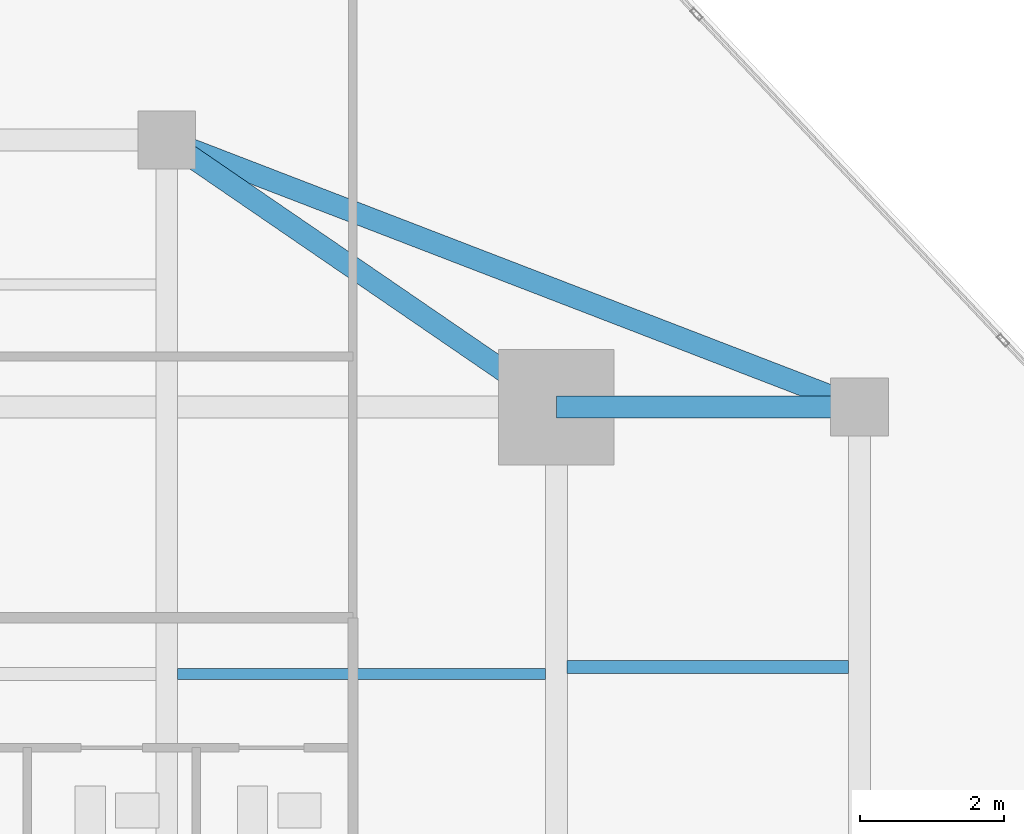
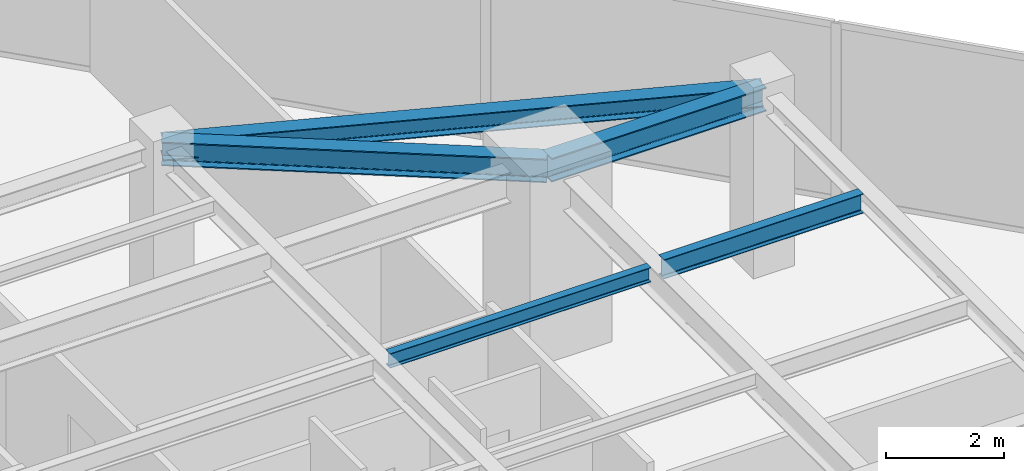
# One storey, part 17 of 24: 5 beams.
"""IFC4 building model written with IfcOpenShell, lengths in metres."""

from ifc_helpers import new_model, si_unit, direction, frame, origin, origin_2d, place, context, subcontext, project, spatial, i_section, extrude, source, transform, mapped, material, material_profile, profile_set, type_object, type_shapes, element, save


model = new_model("IFC4")

# Units and contexts
model_context = context("Model", 3, precision=1e-05, world=origin(), true_north=direction((0.0, 1.0)))
body_context = subcontext(model_context, "Body", "Model", "MODEL_VIEW")
ifc_project = project(units=[si_unit("LENGTHUNIT", "METRE"), si_unit("AREAUNIT", "SQUARE_METRE"), si_unit("VOLUMEUNIT", "CUBIC_METRE"), si_unit("PLANEANGLEUNIT", "RADIAN"), si_unit("MASSUNIT", "GRAM", prefix="KILO")], contexts=[model_context])

# Site, building, storey
site_placement = place(None, origin())
site = spatial("IfcSite", under=ifc_project, at=site_placement, CompositionType="ELEMENT")
building_placement = place(site_placement, origin())
building = spatial("IfcBuilding", under=site, at=building_placement, Name="Krantzveldt Concourse Tower", CompositionType="ELEMENT")
storey_placement = place(building_placement, frame((0.0, 0.0, 242.85009765625)))
storey = spatial("IfcBuildingStorey", under=building, at=storey_placement, Name="L59", CompositionType="ELEMENT", Elevation=242.85009765625)

# Beams
ifc_material = material(Name="Steel S355JR", Category="steel")
ifc_material_profile_1 = material_profile(ifc_material, i_section(OverallWidth=0.300048828125, OverallDepth=0.389892578125, WebThickness=0.010986328125, FlangeThickness=0.01904296875, FilletRadius=0.027099609375, at=origin_2d()), Name="Steel S355JR", Category="steel")
ifc_profile_set_1 = profile_set([ifc_material_profile_1], Name="Steel S355JR - HEA 400")
beam_type_1 = type_object("IfcBeamType", Name="BM-SP-HEA400", PredefinedType="SPANDREL", material=ifc_profile_set_1)
shared_shape_1 = source(origin(), body_context, "Body", "SweptSolid", [
    extrude(i_section(OverallWidth=0.300048828125, OverallDepth=0.389892578125, WebThickness=0.010986328125, FlangeThickness=0.01904296875, FilletRadius=0.027099609375, at=origin_2d()), origin(), (0.0, 0.0, 1.0), 10.288330078125),
])
type_shapes(beam_type_1, [shared_shape_1])
beam_1_placement = place(storey_placement, frame((41.39990234375, 41.199951171875, 3.474853515625), z_axis=(0.933097690408, -0.359622997257, 0.0), x_axis=(0.359622997257, 0.933097690408, 0.0)))
element("IfcBeam", 1, at=beam_1_placement, inside=storey, type_object=beam_type_1, Name="L59 Tower Girder SP-R05", PredefinedType="SPANDREL", context=body_context, shape_type="MappedRepresentation", body=[
    mapped(shared_shape_1, transform((0.0, 0.0, 0.0), x_axis=(1.0, 0.0, 0.0), y_axis=(0.0, 1.0, 0.0), z_axis=(0.0, 0.0, 1.0), scale=1.0)),
])
ifc_material_profile_2 = material_profile(ifc_material, i_section(OverallWidth=0.300048828125, OverallDepth=0.489990234375, WebThickness=0.011962890625, FlangeThickness=0.02294921875, FilletRadius=0.027099609375, at=origin_2d()), Name="Steel S355JR", Category="steel")
ifc_profile_set_2 = profile_set([ifc_material_profile_2], Name="Steel S355JR - HEA 500")
beam_type_2 = type_object("IfcBeamType", Name="BM-B-HEA500", PredefinedType="BEAM", material=ifc_profile_set_2)
shared_shape_2 = source(origin(), body_context, "Body", "SweptSolid", [
    extrude(i_section(OverallWidth=0.300048828125, OverallDepth=0.489990234375, WebThickness=0.011962890625, FlangeThickness=0.02294921875, FilletRadius=0.027099609375, at=origin_2d()), origin(), (0.0, 0.0, 1.0), 4.199951171875),
])
beam_2_placement = place(storey_placement, frame((46.800048828125, 37.5, 3.4248046875), z_axis=(1.0, 0.0, 0.0), x_axis=(0.0, 1.0, 0.0)))
element("IfcBeam", 2, at=beam_2_placement, inside=storey, type_object=beam_type_2, Name="L59 Tower Girder BR-RR3", PredefinedType="BEAM", context=body_context, shape_type="MappedRepresentation", body=[
    mapped(shared_shape_2, transform((0.0, 0.0, 0.0), x_axis=(1.0, 0.0, 0.0), y_axis=(0.0, 1.0, 0.0), z_axis=(0.0, 0.0, 1.0), scale=1.0)),
])
shared_shape_3 = source(origin(), body_context, "Body", "SweptSolid", [
    extrude(i_section(OverallWidth=0.300048828125, OverallDepth=0.489990234375, WebThickness=0.011962890625, FlangeThickness=0.02294921875, FilletRadius=0.027099609375, at=origin_2d()), origin(), (0.0, 0.0, 1.0), 6.546142578125),
])
type_shapes(beam_type_2, [shared_shape_2, shared_shape_3])
beam_3_placement = place(storey_placement, frame((46.800048828125, 37.5, 3.4248046875), z_axis=(-0.824942999484, 0.565215930068, 0.0), x_axis=(-0.565215930068, -0.824942999484, 0.0)))
element("IfcBeam", 3, at=beam_3_placement, inside=storey, type_object=beam_type_2, Name="L59 Tower Girder BR-RR4", PredefinedType="BEAM", context=body_context, shape_type="MappedRepresentation", body=[
    mapped(shared_shape_3, transform((0.0, 0.0, 0.0), x_axis=(1.0, 0.0, 0.0), y_axis=(0.0, 1.0, 0.0), z_axis=(0.0, 0.0, 1.0), scale=1.0)),
])
ifc_material_profile_3 = material_profile(ifc_material, i_section(OverallWidth=0.14990234375, OverallDepth=0.300048828125, WebThickness=0.007080078125, FlangeThickness=0.0107421875, FilletRadius=0.014892578125, at=origin_2d()), Name="Steel S355JR", Category="steel")
ifc_profile_set_3 = profile_set([ifc_material_profile_3], Name="Steel S355JR - IPE 300")
beam_type_3 = type_object("IfcBeamType", Name="BM-J-IPE300", PredefinedType="JOIST", material=ifc_profile_set_3)
shared_shape_4 = source(origin(), body_context, "Body", "SweptSolid", [
    extrude(i_section(OverallWidth=0.14990234375, OverallDepth=0.300048828125, WebThickness=0.007080078125, FlangeThickness=0.0107421875, FilletRadius=0.014892578125, at=origin_2d()), origin(), (0.0, 0.0, 1.0), 5.099853515625),
])
type_shapes(beam_type_3, [shared_shape_4])
beam_4_placement = place(storey_placement, frame((41.550048828125, 33.800048828125, 3.52001953125), z_axis=(1.0, 0.0, 0.0), x_axis=(0.0, 1.0, 0.0)))
element("IfcBeam", 4, at=beam_4_placement, inside=storey, type_object=beam_type_3, Name="L59 Secondary Floor Joist JN-E2", PredefinedType="JOIST", context=body_context, shape_type="MappedRepresentation", body=[
    mapped(shared_shape_4, transform((0.0, 0.0, 0.0), x_axis=(1.0, 0.0, 0.0), y_axis=(0.0, 1.0, 0.0), z_axis=(0.0, 0.0, 1.0), scale=1.0)),
])
ifc_material_profile_4 = material_profile(ifc_material, i_section(OverallWidth=0.179931640625, OverallDepth=0.39990234375, WebThickness=0.008544921875, FlangeThickness=0.013427734375, FilletRadius=0.02099609375, at=origin_2d()), Name="Steel S355JR", Category="steel")
ifc_profile_set_4 = profile_set([ifc_material_profile_4], Name="Steel S355JR - IPE 400")
beam_type_4 = type_object("IfcBeamType", Name="BM-J-IPE400", PredefinedType="JOIST", material=ifc_profile_set_4)
shared_shape_5 = source(origin(), body_context, "Body", "SweptSolid", [
    extrude(i_section(OverallWidth=0.179931640625, OverallDepth=0.39990234375, WebThickness=0.008544921875, FlangeThickness=0.013427734375, FilletRadius=0.02099609375, at=origin_2d()), origin(), (0.0, 0.0, 1.0), 3.900146484375),
])
type_shapes(beam_type_4, [shared_shape_5])
beam_5_placement = place(storey_placement, frame((46.949951171875, 33.89990234375, 3.469970703125), z_axis=(1.0, 0.0, 0.0), x_axis=(0.0, 1.0, 0.0)))
element("IfcBeam", 5, at=beam_5_placement, inside=storey, type_object=beam_type_4, Name="L59 Secondary Floor Joist JE-4", PredefinedType="JOIST", context=body_context, shape_type="MappedRepresentation", body=[
    mapped(shared_shape_5, transform((0.0, 0.0, 0.0), x_axis=(1.0, 0.0, 0.0), y_axis=(0.0, 1.0, 0.0), z_axis=(0.0, 0.0, 1.0), scale=1.0)),
])

save(model, "model.ifc")
